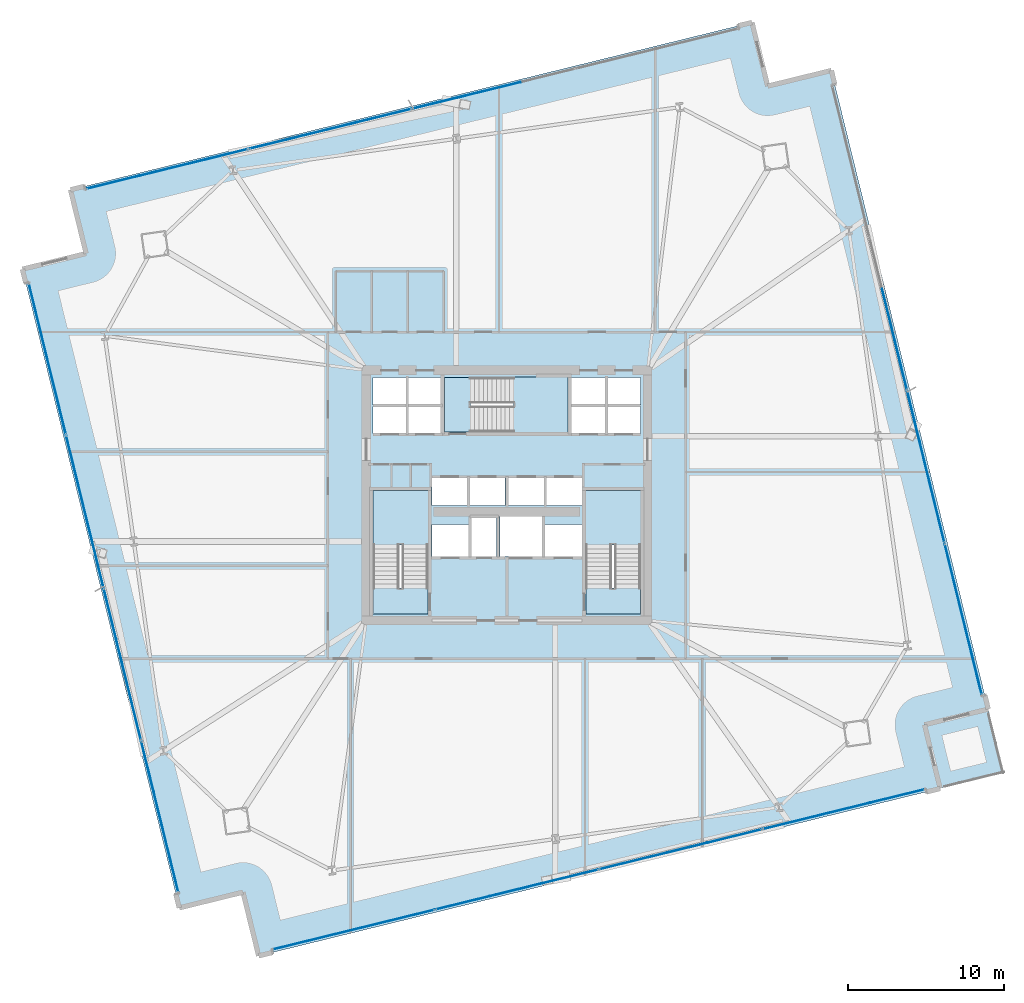
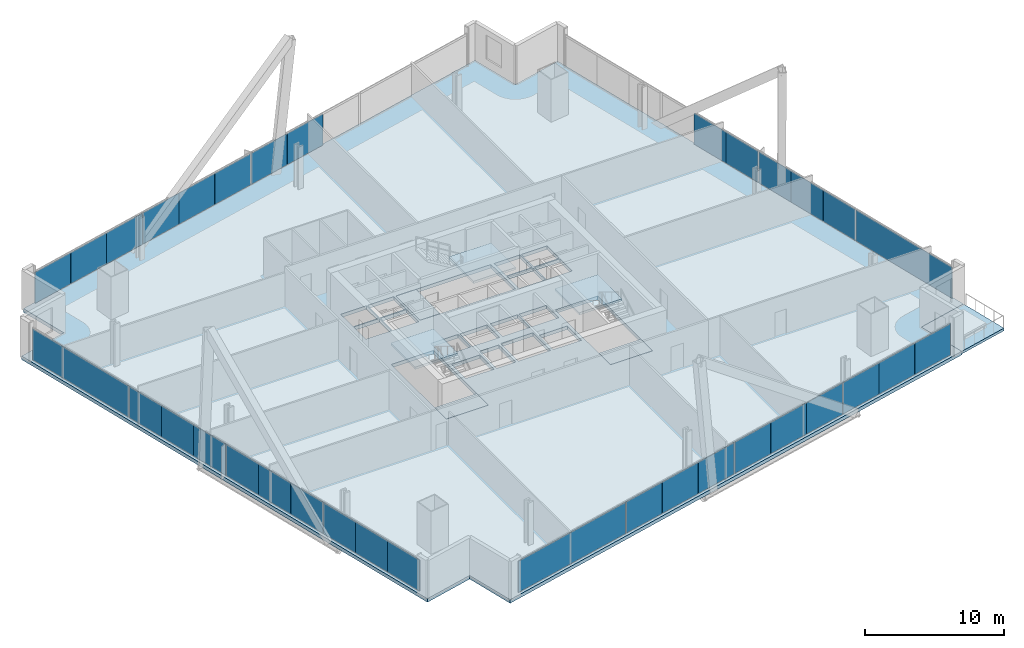
# One storey, part 23 of 32: 34 plates, 8 slabs, 7 elements without a shape of their own.
"""IFC4 building model written with IfcOpenShell, lengths in metres."""

import ifcopenshell
import ifcopenshell.guid

model = None  # the IFC model being written
_history = None  # IfcOwnerHistory: only IFC2X3 demands one
_inside = {}  # id of a spatial element -> (the spatial element, [elements in it])
_under = {}  # id of a project, library or spatial element -> (it, [spatial elements below it])
_declared = {}  # id of a project -> (the project, [libraries it declares])
_typed = {}  # id of a type object -> (the type object, [elements of that type])
_made_of = {}  # id of a material, layer set ... -> (it, [elements and type objects made of it])


def new_model(schema):
    """Start an empty IFC model of exactly this schema.

    Asked for "IFC4X3", IfcOpenShell would pick the latest addendum, in which some entities
    have other attributes; the version numbers below select the first issue.
    IFC2X3 requires an IfcOwnerHistory on every rooted entity: one is made here for all.
    """
    global model, _history
    if schema == "IFC4X3":
        model = ifcopenshell.file(schema_version=(4, 3, 0, 0))
    else:
        model = ifcopenshell.file(schema=schema)
    _inside.clear()
    _under.clear()
    _declared.clear()
    _typed.clear()
    _made_of.clear()
    _history = None
    if model.schema == "IFC2X3":
        org = make("IfcOrganization", Name="unknown")
        user = make(
            "IfcPersonAndOrganization",
            ThePerson=make("IfcPerson", FamilyName="unknown"),
            TheOrganization=org,
        )
        app = make(
            "IfcApplication",
            ApplicationDeveloper=org,
            Version="unknown",
            ApplicationFullName="unknown",
            ApplicationIdentifier="unknown",
        )
        _history = make(
            "IfcOwnerHistory",
            OwningUser=user,
            OwningApplication=app,
            ChangeAction="ADDED",
            CreationDate=0,
        )
    return model


def make(cls, **values):
    """One entity of the class cls with the attributes given. An attribute that is None is left unset."""
    return model.create_entity(
        cls, **{name: value for name, value in values.items() if value is not None}
    )


def rooted(cls, **values):
    """An entity with a GlobalId (a new one), such as an element, a storey or a relation."""
    return make(cls, GlobalId=ifcopenshell.guid.new(), OwnerHistory=_history, **values)


def si_unit(unit_type, name, prefix=None):
    """IfcSIUnit, for example si_unit("LENGTHUNIT", "METRE", prefix="MILLI")."""
    return make("IfcSIUnit", UnitType=unit_type, Prefix=prefix, Name=name)


def assignment(units):
    """IfcUnitAssignment: the units of a project."""
    return None if units is None else make("IfcUnitAssignment", Units=units)


def point(xyz):
    """IfcCartesianPoint."""
    return None if xyz is None else make("IfcCartesianPoint", Coordinates=xyz)


def direction(xyz):
    """IfcDirection."""
    return None if xyz is None else make("IfcDirection", DirectionRatios=xyz)


def frame(location, z_axis=None, x_axis=None):
    """IfcAxis2Placement3D, a coordinate frame: its origin and axes. An axis left out is left unset."""
    return make(
        "IfcAxis2Placement3D",
        Location=point(location),
        Axis=direction(z_axis),
        RefDirection=direction(x_axis),
    )


def frame_2d(location, x_axis=None):
    """IfcAxis2Placement2D, a coordinate frame in the plane: its origin and x axis."""
    return make(
        "IfcAxis2Placement2D", Location=point(location), RefDirection=direction(x_axis)
    )


def origin():
    """The frame at (0, 0, 0) with its axes left unset."""
    return frame((0.0, 0.0, 0.0))


def origin_2d():
    """The frame at (0, 0) in the plane with its x axis left unset."""
    return frame_2d((0.0, 0.0))


def place(relative_to, where):
    """IfcLocalPlacement: puts the frame where relative to a parent placement (None: the world)."""
    return make(
        "IfcLocalPlacement", PlacementRelTo=relative_to, RelativePlacement=where
    )


def context(
    kind, dimensions, precision=None, world=None, true_north=None, identifier=None
):
    """IfcGeometricRepresentationContext, for example the 3D "Model" context."""
    return make(
        "IfcGeometricRepresentationContext",
        ContextIdentifier=identifier,
        ContextType=kind,
        CoordinateSpaceDimension=dimensions,
        Precision=precision,
        WorldCoordinateSystem=world,
        TrueNorth=true_north,
    )


def subcontext(parent, identifier, kind, view, scale=None):
    """IfcGeometricRepresentationSubContext, for example "Body" below "Model"."""
    return make(
        "IfcGeometricRepresentationSubContext",
        ContextIdentifier=identifier,
        ContextType=kind,
        ParentContext=parent,
        TargetScale=scale,
        TargetView=view,
    )


def project(units=None, contexts=None):
    """IfcProject with its units and contexts."""
    return rooted(
        "IfcProject",
        Name="project",
        RepresentationContexts=contexts,
        UnitsInContext=assignment(units),
    )


def spatial(cls, under=None, at=None, **own):
    """A site, building, storey or space (cls), placed at a placement, below another one or the project."""
    s = rooted(cls, ObjectPlacement=at, **own)
    if under is not None:
        _under.setdefault(under.id(), (under, []))[1].append(s)
    return s


def polyline(points):
    """IfcPolyline through the points."""
    return make("IfcPolyline", Points=[point(p) for p in points])


def profile(cls, at=None, kind="AREA", **sizes):
    """A parametric profile (cls). Its sizes go by their IFC names, for example OverallWidth=200.0."""
    return make(cls, ProfileType=kind, Position=at, **sizes)


def rectangle(**sizes):
    """IfcRectangleProfileDef."""
    return profile("IfcRectangleProfileDef", **sizes)


def outline(outer, holes=None, kind="AREA"):
    """IfcArbitraryClosedProfileDef: a profile drawn as a closed curve; with holes, ...WithVoids."""
    if holes is None:
        return make("IfcArbitraryClosedProfileDef", ProfileType=kind, OuterCurve=outer)
    return make(
        "IfcArbitraryProfileDefWithVoids",
        ProfileType=kind,
        OuterCurve=outer,
        InnerCurves=holes,
    )


def extrude(swept, where, along, depth):
    """IfcExtrudedAreaSolid: the profile swept, set in the frame where, extruded along a direction by depth."""
    return make(
        "IfcExtrudedAreaSolid",
        SweptArea=swept,
        Position=where,
        ExtrudedDirection=direction(along),
        Depth=depth,
    )


def shape(context_of_items, identifier, shape_type, items):
    """IfcShapeRepresentation: the items that make up one representation, for example the "Body"."""
    return make(
        "IfcShapeRepresentation",
        ContextOfItems=context_of_items,
        RepresentationIdentifier=identifier,
        RepresentationType=shape_type,
        Items=items,
    )


def source(mapping_origin, context_of_items, identifier, shape_type, items):
    """IfcRepresentationMap: a shape defined once, which mapped items show again and again."""
    return make(
        "IfcRepresentationMap",
        MappingOrigin=mapping_origin,
        MappedRepresentation=shape(context_of_items, identifier, shape_type, items),
    )


def transform(
    local_origin,
    x_axis=None,
    y_axis=None,
    z_axis=None,
    scale=None,
    scale2=None,
    scale3=None,
    uniform=True,
):
    """IfcCartesianTransformationOperator3D, or its non-uniform kind. x_axis, y_axis, z_axis: its Axis1, 2, 3."""
    if uniform:
        return make(
            "IfcCartesianTransformationOperator3D",
            Axis1=direction(x_axis),
            Axis2=direction(y_axis),
            LocalOrigin=point(local_origin),
            Scale=scale,
            Axis3=direction(z_axis),
        )
    return make(
        "IfcCartesianTransformationOperator3DnonUniform",
        Axis1=direction(x_axis),
        Axis2=direction(y_axis),
        LocalOrigin=point(local_origin),
        Scale=scale,
        Axis3=direction(z_axis),
        Scale2=scale2,
        Scale3=scale3,
    )


def mapped(mapping_source, mapping_target):
    """IfcMappedItem: shows the shape of a source again, moved by a transform."""
    return make(
        "IfcMappedItem", MappingSource=mapping_source, MappingTarget=mapping_target
    )


def material(Name=None, Category=None):
    """IfcMaterial."""
    return make("IfcMaterial", Name=Name, Category=Category)


def layer(
    of_material, thickness, ventilated=None, Name=None, Category=None, Priority=None
):
    """IfcMaterialLayer: one layer of a wall or slab, of a material (None: an air gap)."""
    return make(
        "IfcMaterialLayer",
        Material=of_material,
        LayerThickness=thickness,
        IsVentilated=ventilated,
        Name=Name,
        Category=Category,
        Priority=Priority,
    )


def layer_set(layers, Name=None):
    """IfcMaterialLayerSet."""
    return make("IfcMaterialLayerSet", MaterialLayers=layers, LayerSetName=Name)


def made_of(thing, what):
    """Note that an element or type object is made of a material, layer set ...; save() writes the relation."""
    if what is not None:
        _made_of.setdefault(what.id(), (what, []))[1].append(thing)
    return thing


def type_object(cls, material=None, **own):
    """A type object (cls), such as IfcWallType, which elements share."""
    return made_of(rooted(cls, **own), material)


def element(
    cls,
    number,
    at=None,
    inside=None,
    cuts=None,
    type_object=None,
    material=None,
    context=None,
    identifier="Body",
    shape_type=None,
    held_by="IfcProductDefinitionShape",
    body=None,
    shapes=None,
    **own,
):
    """One element of the class cls, such as IfcWall. Its Tag is "e" and its number.

    at: its placement. inside: the storey or other place that contains it. cuts: it is an
    opening in that element (IfcRelVoidsElement). A single representation is given by context,
    identifier, shape_type and body (its items); several are given by shapes. held_by: the class
    of the entity that holds the representations. save() writes the other relations.
    """
    e = rooted(cls, Tag="e%d" % number, ObjectPlacement=at, **own)
    if body is not None:
        shapes = [shape(context, identifier, shape_type, body)]
    if shapes is not None:
        e.Representation = make(held_by, Representations=shapes)
    if inside is not None:
        _inside.setdefault(inside.id(), (inside, []))[1].append(e)
    if cuts is not None:
        rooted(
            "IfcRelVoidsElement", RelatingBuildingElement=cuts, RelatedOpeningElement=e
        )
    if type_object is not None:
        _typed.setdefault(type_object.id(), (type_object, []))[1].append(e)
    return made_of(e, material)


def aggregate(whole, parts):
    """IfcRelAggregates: a whole, such as a stair, and the parts it consists of."""
    return rooted("IfcRelAggregates", RelatingObject=whole, RelatedObjects=parts)


def save(model, path):
    """Write the relations noted so far, then the file.

    IfcRelAggregates (storeys below a building ...), IfcRelContainedInSpatialStructure (elements
    in a storey), IfcRelDefinesByType, IfcRelAssociatesMaterial and IfcRelDeclares: one each for
    every whole, place, type object, material and project.
    """
    for whole, parts in _under.values():
        aggregate(whole, parts)
    for where, things in _inside.values():
        rooted(
            "IfcRelContainedInSpatialStructure",
            RelatedElements=things,
            RelatingStructure=where,
        )
    for kind, things in _typed.values():
        rooted("IfcRelDefinesByType", RelatedObjects=things, RelatingType=kind)
    for what, things in _made_of.values():
        rooted("IfcRelAssociatesMaterial", RelatedObjects=things, RelatingMaterial=what)
    for by, libraries in _declared.values():
        rooted("IfcRelDeclares", RelatingContext=by, RelatedDefinitions=libraries)
    model.write(path)


model = new_model("IFC4")

# Units and contexts
model_context = context("Model", 3, precision=1e-05, world=origin(), true_north=direction((0.0, 1.0)))
body_context = subcontext(model_context, "Body", "Model", "MODEL_VIEW")
ifc_project = project(units=[si_unit("LENGTHUNIT", "METRE"), si_unit("AREAUNIT", "SQUARE_METRE"), si_unit("VOLUMEUNIT", "CUBIC_METRE"), si_unit("PLANEANGLEUNIT", "RADIAN"), si_unit("MASSUNIT", "GRAM", prefix="KILO")], contexts=[model_context])

# Site, building, storey
site_placement = place(None, origin())
site = spatial("IfcSite", under=ifc_project, at=site_placement, CompositionType="ELEMENT")
building_placement = place(site_placement, origin())
building = spatial("IfcBuilding", under=site, at=building_placement, Name="Haldenkirk Collegiate Tower", CompositionType="ELEMENT")
storey_placement = place(building_placement, frame((0.0, 0.0, 73.949951171875)))
storey = spatial("IfcBuildingStorey", under=building, at=storey_placement, Name="L17", CompositionType="ELEMENT", Elevation=73.949951171875)

# Slab
ifc_material_1 = material(Name="Concrete f'c 40 MPa", Category="concrete")
ifc_layer_1 = layer(ifc_material_1, 0.31005859375)
ifc_layer_set_1 = layer_set([ifc_layer_1], Name="Concrete f'c 40 MPa")
slab_type_1 = type_object("IfcSlabType", Name="SLB-FLR-310", PredefinedType="FLOOR", material=ifc_layer_set_1)
slab_1_placement = place(storey_placement, frame((0.0, 0.0, -0.31005859375)))
element("IfcSlab", 1, at=slab_1_placement, inside=storey, type_object=slab_type_1, Name="L17 composite structural floor slab", PredefinedType="FLOOR", context=body_context, shape_type="SweptSolid", body=[
    extrude(outline(polyline([(20.11962890625, -3.46337890625), (63.7236328125, 7.24658203125), (62.7216796875, 11.325439453125), (66.800537109375, 12.327392578125), (56.76416015625, 53.187744140625), (52.685302734375, 52.185791015625), (51.68359375, 56.2646484375), (8.07958984375, 45.554443359375), (9.08154296875, 41.475830078125), (5.002685546875, 40.473876953125), (15.0390625, -0.38671875), (19.117919921875, 0.615234375), (20.11962890625, -3.46337890625)]), holes=[polyline([(27.449951171875, 18.39990234375), (30.949951171875, 18.39990234375), (30.949951171875, 26.300048828125), (27.449951171875, 26.300048828125), (27.449951171875, 18.39990234375)]), polyline([(41.050048828125, 18.39990234375), (44.550048828125, 18.39990234375), (44.550048828125, 26.300048828125), (41.050048828125, 26.300048828125), (41.050048828125, 18.39990234375)]), polyline([(32.0, 30.050048828125), (39.89990234375, 30.050048828125), (39.89990234375, 33.550048828125), (32.0, 33.550048828125), (32.0, 30.050048828125)]), polyline([(33.75, 22.10009765625), (35.35009765625, 22.10009765625), (35.35009765625, 24.550048828125), (33.75, 24.550048828125), (33.75, 22.10009765625)]), polyline([(27.449951171875, 29.949951171875), (29.580078125, 29.949951171875), (29.580078125, 31.699951171875), (27.449951171875, 31.699951171875), (27.449951171875, 29.949951171875)]), polyline([(29.679931640625, 29.949951171875), (31.85009765625, 29.949951171875), (31.85009765625, 31.699951171875), (29.679931640625, 31.699951171875), (29.679931640625, 29.949951171875)]), polyline([(27.449951171875, 31.800048828125), (29.580078125, 31.800048828125), (29.580078125, 33.550048828125), (27.449951171875, 33.550048828125), (27.449951171875, 31.800048828125)]), polyline([(29.679931640625, 31.800048828125), (31.85009765625, 31.800048828125), (31.85009765625, 33.550048828125), (29.679931640625, 33.550048828125), (29.679931640625, 31.800048828125)]), polyline([(40.14990234375, 29.949951171875), (42.320068359375, 29.949951171875), (42.320068359375, 31.699951171875), (40.14990234375, 31.699951171875), (40.14990234375, 29.949951171875)]), polyline([(42.419921875, 29.949951171875), (44.550048828125, 29.949951171875), (44.550048828125, 31.699951171875), (42.419921875, 31.699951171875), (42.419921875, 29.949951171875)]), polyline([(40.14990234375, 31.800048828125), (42.320068359375, 31.800048828125), (42.320068359375, 33.550048828125), (40.14990234375, 33.550048828125), (40.14990234375, 31.800048828125)]), polyline([(42.419921875, 31.800048828125), (44.550048828125, 31.800048828125), (44.550048828125, 33.550048828125), (42.419921875, 33.550048828125), (42.419921875, 31.800048828125)]), polyline([(31.199951171875, 25.35009765625), (33.47998046875, 25.35009765625), (33.47998046875, 27.14990234375), (31.199951171875, 27.14990234375), (31.199951171875, 25.35009765625)]), polyline([(33.60009765625, 25.35009765625), (35.8798828125, 25.35009765625), (35.8798828125, 27.14990234375), (33.60009765625, 27.14990234375), (33.60009765625, 25.35009765625)]), polyline([(36.1201171875, 25.35009765625), (38.39990234375, 25.35009765625), (38.39990234375, 27.14990234375), (36.1201171875, 27.14990234375), (36.1201171875, 25.35009765625)]), polyline([(38.52001953125, 25.35009765625), (40.800048828125, 25.35009765625), (40.800048828125, 27.14990234375), (38.52001953125, 27.14990234375), (38.52001953125, 25.35009765625)]), polyline([(31.199951171875, 22.10009765625), (33.550048828125, 22.10009765625), (33.550048828125, 24.14990234375), (31.199951171875, 24.14990234375), (31.199951171875, 22.10009765625)]), polyline([(38.449951171875, 22.10009765625), (40.800048828125, 22.10009765625), (40.800048828125, 24.14990234375), (38.449951171875, 24.14990234375), (38.449951171875, 22.10009765625)]), polyline([(35.550048828125, 22.10009765625), (38.25, 22.10009765625), (38.25, 24.64990234375), (35.550048828125, 24.64990234375), (35.550048828125, 22.10009765625)])]), origin(), (0.0, 0.0, 1.0), 0.31005859375),
])

# Stair, slab
stair_type = type_object("IfcStairType", Name="STR-DOGLEG-1650", PredefinedType="HALF_TURN_STAIR", material=ifc_material_1)
stair_1_placement = place(storey_placement, origin())
stair_1 = element("IfcStair", 2, at=stair_1_placement, inside=storey, type_object=stair_type, Name="L17 Core Exit Stair ST-1", PredefinedType="HALF_TURN_STAIR")
ifc_layer_2 = layer(ifc_material_1, 0.199951171875)
ifc_layer_set_2 = layer_set([ifc_layer_2], Name="Concrete f'c 40 MPa")
slab_type_2 = type_object("IfcSlabType", Name="SLB-LANDING-200", PredefinedType="LANDING", material=ifc_layer_set_2)
slab_2_placement = place(storey_placement, frame((0.0, 0.0, 1.675048828125)))
slab_2 = element("IfcSlab", 3, at=slab_2_placement, type_object=slab_type_2, Name="ST-1 landing 1", PredefinedType="LANDING", context=body_context, shape_type="SweptSolid", body=[
    extrude(outline(polyline([(30.97509765625, 22.824951171875), (27.425048828125, 22.824951171875), (27.425048828125, 26.324951171875), (30.97509765625, 26.324951171875), (30.97509765625, 22.824951171875)])), origin(), (0.0, 0.0, 1.0), 0.199951171875),
])
aggregate(stair_1, [slab_2])

stair_2_placement = place(storey_placement, origin())
stair_2 = element("IfcStair", 4, at=stair_2_placement, inside=storey, type_object=stair_type, Name="L17 Core Exit Stair ST-2", PredefinedType="HALF_TURN_STAIR")
slab_3_placement = place(storey_placement, frame((0.0, 0.0, 1.675048828125)))
slab_3 = element("IfcSlab", 5, at=slab_3_placement, type_object=slab_type_2, Name="ST-2 landing 1", PredefinedType="LANDING", context=body_context, shape_type="SweptSolid", body=[
    extrude(outline(polyline([(44.574951171875, 22.824951171875), (41.02490234375, 22.824951171875), (41.02490234375, 26.324951171875), (44.574951171875, 26.324951171875), (44.574951171875, 22.824951171875)])), origin(), (0.0, 0.0, 1.0), 0.199951171875),
])
aggregate(stair_2, [slab_3])

stair_3_placement = place(storey_placement, origin())
stair_3 = element("IfcStair", 6, at=stair_3_placement, inside=storey, type_object=stair_type, Name="L17 Core Exit Stair ST-3", PredefinedType="HALF_TURN_STAIR")
slab_4_placement = place(storey_placement, frame((0.0, 0.0, 1.675048828125)))
slab_4 = element("IfcSlab", 7, at=slab_4_placement, type_object=slab_type_2, Name="ST-3 landing 1", PredefinedType="LANDING", context=body_context, shape_type="SweptSolid", body=[
    extrude(outline(polyline([(36.425048828125, 30.02490234375), (36.425048828125, 33.574951171875), (39.925048828125, 33.574951171875), (39.925048828125, 30.02490234375), (36.425048828125, 30.02490234375)])), origin(), (0.0, 0.0, 1.0), 0.199951171875),
])
aggregate(stair_3, [slab_4])

# Slabs
ifc_layer_3 = layer(ifc_material_1, 0.25)
ifc_layer_set_3 = layer_set([ifc_layer_3], Name="Concrete f'c 40 MPa")
slab_type_3 = type_object("IfcSlabType", Name="SLB-STAIRLAND-250", PredefinedType="LANDING", material=ifc_layer_set_3)
slab_5_placement = place(storey_placement, frame((0.0, 0.0, -0.25)))
element("IfcSlab", 8, at=slab_5_placement, inside=storey, type_object=slab_type_3, Name="L17 stair ST1 structural floor landing slab", PredefinedType="LANDING", context=body_context, shape_type="SweptSolid", body=[
    extrude(outline(polyline([(27.4599609375, 18.409912109375), (30.93994140625, 18.409912109375), (30.93994140625, 20.080078125), (27.4599609375, 20.080078125), (27.4599609375, 18.409912109375)])), origin(), (0.0, 0.0, 1.0), 0.25),
])
slab_6_placement = place(storey_placement, frame((0.0, 0.0, -0.25)))
element("IfcSlab", 9, at=slab_6_placement, inside=storey, type_object=slab_type_3, Name="L17 stair ST2 structural floor landing slab", PredefinedType="LANDING", context=body_context, shape_type="SweptSolid", body=[
    extrude(outline(polyline([(41.06005859375, 18.409912109375), (44.5400390625, 18.409912109375), (44.5400390625, 20.080078125), (41.06005859375, 20.080078125), (41.06005859375, 18.409912109375)])), origin(), (0.0, 0.0, 1.0), 0.25),
])
slab_7_placement = place(storey_placement, frame((0.0, 0.0, -0.25)))
element("IfcSlab", 10, at=slab_7_placement, inside=storey, type_object=slab_type_3, Name="L17 stair ST3 structural floor landing slab", PredefinedType="LANDING", context=body_context, shape_type="SweptSolid", body=[
    extrude(outline(polyline([(32.010009765625, 30.06005859375), (33.679931640625, 30.06005859375), (33.679931640625, 33.5400390625), (32.010009765625, 33.5400390625), (32.010009765625, 30.06005859375)])), origin(), (0.0, 0.0, 1.0), 0.25),
])
ifc_layer_4 = layer(ifc_material_1, 0.22998046875)
ifc_layer_set_4 = layer_set([ifc_layer_4], Name="Concrete f'c 40 MPa")
slab_type_4 = type_object("IfcSlabType", Name="SLB-TERR-SPIRAL-230", PredefinedType="FLOOR", material=ifc_layer_set_4)
slab_8_placement = place(storey_placement, frame((0.0, 0.0, -0.22998046875)))
element("IfcSlab", 11, at=slab_8_placement, inside=storey, type_object=slab_type_4, Name="L17 spiralling corner terrace slab", PredefinedType="FLOOR", context=body_context, shape_type="SweptSolid", body=[
    extrude(outline(polyline([(63.7236328125, 7.24658203125), (67.80224609375, 8.24853515625), (66.800537109375, 12.327392578125), (62.7216796875, 11.325439453125), (63.7236328125, 7.24658203125)])), origin(), (0.0, 0.0, 1.0), 0.22998046875),
])

# Curtain wall, plates
ifc_material_2 = material(Name="Anodised architectural bronze aluminium", Category="aluminium")
curtain_wall_type_1 = type_object("IfcCurtainWallType", Name="CW-SYS2-CONCAVE", PredefinedType="USERDEFINED", material=ifc_material_2)
curtain_wall_1_placement = place(storey_placement, origin())
curtain_wall_1 = element("IfcCurtainWall", 12, at=curtain_wall_1_placement, inside=storey, type_object=curtain_wall_type_1, Name="L17 South concave recessed bronze-anodised curtain wall", ObjectType="UNITISED CURTAIN WALL", PredefinedType="USERDEFINED")
ifc_material_3 = material(Name="Low-E argon triple insulating glass", Category="glass")
ifc_layer_5 = layer(ifc_material_3, 0.0419921875)
ifc_layer_set_5 = layer_set([ifc_layer_5], Name="Low-E argon triple insulating glass")
plate_type_1 = type_object("IfcPlateType", Name="CW-PNL-02", PredefinedType="CURTAIN_PANEL", material=ifc_layer_set_5)
shared_shape_1 = source(origin(), body_context, "Body", "SweptSolid", [
    extrude(rectangle(XDim=10.66259765625, YDim=0.0419921875, at=origin_2d()), origin(), (0.0, 0.0, 1.0), 2.740966796875),
])
plate_1_placement = place(storey_placement, frame((26.200927734375, -1.784423828125, 0.0751953125), z_axis=(0.0, 0.0, 1.0), x_axis=(-0.971134385592, -0.238533027316, 0.0)))
plate_1 = element("IfcPlate", 13, at=plate_1_placement, type_object=plate_type_1, Name="CW-02 panel 4.1", PredefinedType="CURTAIN_PANEL", context=body_context, shape_type="MappedRepresentation", body=[
    mapped(shared_shape_1, transform((0.0, 0.0, 0.0), x_axis=(1.0, 0.0, 0.0), y_axis=(0.0, 1.0, 0.0), z_axis=(0.0, 0.0, 1.0), scale=1.0)),
])
ifc_material_4 = material(Name="Bronze-anodised insulated aluminium spandrel panel", Category="aluminium")
ifc_layer_6 = layer(ifc_material_4, 0.0419921875)
ifc_layer_set_6 = layer_set([ifc_layer_6], Name="Bronze-anodised insulated aluminium spandrel panel")
plate_type_2 = type_object("IfcPlateType", Name="CW-SPD-02", PredefinedType="CURTAIN_PANEL", material=ifc_layer_set_6)
shared_shape_2 = source(origin(), body_context, "Body", "SweptSolid", [
    extrude(rectangle(XDim=3.55419921875, YDim=0.0419921875, at=origin_2d()), origin(), (0.0, 0.0, 1.0), 2.740966796875),
])
plate_2_placement = place(storey_placement, frame((50.58056640625, 4.203857421875, 0.0751953125), z_axis=(0.0, 0.0, 1.0), x_axis=(-0.971134385592, -0.238533027316, 0.0)))
plate_2 = element("IfcPlate", 14, at=plate_2_placement, type_object=plate_type_2, Name="CW-02 spandrel panel 2.1a", PredefinedType="CURTAIN_PANEL", context=body_context, shape_type="MappedRepresentation", body=[
    mapped(shared_shape_2, transform((0.0, 0.0, 0.0), x_axis=(1.0, 0.0, 0.0), y_axis=(0.0, 1.0, 0.0), z_axis=(0.0, 0.0, 1.0), scale=1.0)),
])
plate_3_placement = place(storey_placement, frame((43.640869140625, 2.499267578125, 0.0751953125), z_axis=(0.0, 0.0, 1.0), x_axis=(-0.971134385592, -0.238533027316, 0.0)))
plate_3 = element("IfcPlate", 15, at=plate_3_placement, type_object=plate_type_1, Name="CW-02 panel 2.1c", PredefinedType="CURTAIN_PANEL", context=body_context, shape_type="MappedRepresentation", body=[
    mapped(shared_shape_2, transform((0.0, 0.0, 0.0), x_axis=(1.0, 0.0, 0.0), y_axis=(0.0, 1.0, 0.0), z_axis=(0.0, 0.0, 1.0), scale=1.0)),
])
plate_4_placement = place(storey_placement, frame((40.116455078125, 1.633544921875, 0.0751953125), z_axis=(0.0, 0.0, 1.0), x_axis=(-0.971134385592, -0.238533027316, 0.0)))
plate_4 = element("IfcPlate", 16, at=plate_4_placement, type_object=plate_type_2, Name="CW-02 spandrel panel 3.1a", PredefinedType="CURTAIN_PANEL", context=body_context, shape_type="MappedRepresentation", body=[
    mapped(shared_shape_2, transform((0.0, 0.0, 0.0), x_axis=(1.0, 0.0, 0.0), y_axis=(0.0, 1.0, 0.0), z_axis=(0.0, 0.0, 1.0), scale=1.0)),
])
plate_5_placement = place(storey_placement, frame((33.177001953125, -0.071044921875, 0.0751953125), z_axis=(0.0, 0.0, 1.0), x_axis=(-0.971134385592, -0.238533027316, 0.0)))
plate_5 = element("IfcPlate", 17, at=plate_5_placement, type_object=plate_type_1, Name="CW-02 panel 3.1c", PredefinedType="CURTAIN_PANEL", context=body_context, shape_type="MappedRepresentation", body=[
    mapped(shared_shape_2, transform((0.0, 0.0, 0.0), x_axis=(1.0, 0.0, 0.0), y_axis=(0.0, 1.0, 0.0), z_axis=(0.0, 0.0, 1.0), scale=1.0)),
])
shared_shape_3 = source(origin(), body_context, "Body", "SweptSolid", [
    extrude(rectangle(XDim=3.541748046875, YDim=0.0419921875, at=origin_2d()), origin(), (0.0, 0.0, 1.0), 2.740966796875),
])
plate_6_placement = place(storey_placement, frame((61.01416015625, 6.7666015625, 0.0751953125), z_axis=(0.0, 0.0, 1.0), x_axis=(-0.971134385592, -0.238533027316, 0.0)))
plate_6 = element("IfcPlate", 18, at=plate_6_placement, type_object=plate_type_1, Name="CW-02 panel 1.1a", PredefinedType="CURTAIN_PANEL", context=body_context, shape_type="MappedRepresentation", body=[
    mapped(shared_shape_3, transform((0.0, 0.0, 0.0), x_axis=(1.0, 0.0, 0.0), y_axis=(0.0, 1.0, 0.0), z_axis=(0.0, 0.0, 1.0), scale=1.0)),
])
plate_7_placement = place(storey_placement, frame((54.098876953125, 5.06787109375, 0.0751953125), z_axis=(0.0, 0.0, 1.0), x_axis=(-0.971134385592, -0.238533027316, 0.0)))
plate_7 = element("IfcPlate", 19, at=plate_7_placement, type_object=plate_type_2, Name="CW-02 spandrel panel 1.1c", PredefinedType="CURTAIN_PANEL", context=body_context, shape_type="MappedRepresentation", body=[
    mapped(shared_shape_3, transform((0.0, 0.0, 0.0), x_axis=(1.0, 0.0, 0.0), y_axis=(0.0, 1.0, 0.0), z_axis=(0.0, 0.0, 1.0), scale=1.0)),
])
plate_8_placement = place(storey_placement, frame((47.110595703125, 3.3515625, 0.0751953125), z_axis=(0.0, 0.0, 1.0), x_axis=(-0.971134385592, -0.238533027316, 0.0)))
plate_8 = element("IfcPlate", 20, at=plate_8_placement, type_object=plate_type_2, Name="CW-02 spandrel panel 2.1b", PredefinedType="CURTAIN_PANEL", context=body_context, shape_type="MappedRepresentation", body=[
    mapped(shared_shape_3, transform((0.0, 0.0, 0.0), x_axis=(1.0, 0.0, 0.0), y_axis=(0.0, 1.0, 0.0), z_axis=(0.0, 0.0, 1.0), scale=1.0)),
])
plate_9_placement = place(storey_placement, frame((36.646728515625, 0.78125, 0.0751953125), z_axis=(0.0, 0.0, 1.0), x_axis=(-0.971134385592, -0.238533027316, 0.0)))
plate_9 = element("IfcPlate", 21, at=plate_9_placement, type_object=plate_type_1, Name="CW-02 panel 3.1b", PredefinedType="CURTAIN_PANEL", context=body_context, shape_type="MappedRepresentation", body=[
    mapped(shared_shape_3, transform((0.0, 0.0, 0.0), x_axis=(1.0, 0.0, 0.0), y_axis=(0.0, 1.0, 0.0), z_axis=(0.0, 0.0, 1.0), scale=1.0)),
])

# Curtain wall, plate
curtain_wall_type_2 = type_object("IfcCurtainWallType", Name="CW-SYS1-CONVEX-LOW", PredefinedType="USERDEFINED", material=ifc_material_2)
curtain_wall_2_placement = place(storey_placement, origin())
curtain_wall_2 = element("IfcCurtainWall", 22, at=curtain_wall_2_placement, inside=storey, type_object=curtain_wall_type_2, Name="L17 Lower tower convex bronze-framed unitised curtain wall", ObjectType="UNITISED CURTAIN WALL", PredefinedType="USERDEFINED")
ifc_layer_7 = layer(ifc_material_3, 0.0439453125)
ifc_layer_set_7 = layer_set([ifc_layer_7], Name="Low-E argon triple insulating glass")
plate_type_3 = type_object("IfcPlateType", Name="CW-PNL-1A", PredefinedType="CURTAIN_PANEL", material=ifc_layer_set_7)
shared_shape_4 = source(origin(), body_context, "Body", "SweptSolid", [
    extrude(rectangle(XDim=9.94873046875, YDim=0.0439453125, at=origin_2d()), origin(), (0.0, 0.0, 1.0), 2.73095703125),
])
plate_10_placement = place(storey_placement, frame((65.205322265625, 18.06689453125, 0.080078125), z_axis=(0.0, 0.0, 1.0), x_axis=(0.238532828413, -0.971134434447, 0.0)))
plate_10 = element("IfcPlate", 23, at=plate_10_placement, type_object=plate_type_3, Name="CW-1A panel 4.1", PredefinedType="CURTAIN_PANEL", context=body_context, shape_type="MappedRepresentation", body=[
    mapped(shared_shape_4, transform((0.0, 0.0, 0.0), x_axis=(1.0, 0.0, 0.0), y_axis=(0.0, 1.0, 0.0), z_axis=(0.0, 0.0, 1.0), scale=1.0)),
])

curtain_wall_3_placement = place(storey_placement, origin())
curtain_wall_3 = element("IfcCurtainWall", 24, at=curtain_wall_3_placement, inside=storey, type_object=curtain_wall_type_2, Name="L17 Lower tower convex bronze-framed unitised curtain wall", ObjectType="UNITISED CURTAIN WALL", PredefinedType="USERDEFINED")
plate_11_placement = place(storey_placement, frame((6.597900390625, 34.734375, 0.080078125), z_axis=(0.0, 0.0, 1.0), x_axis=(-0.238532253249, 0.97113457572, 0.0)))
plate_11 = element("IfcPlate", 25, at=plate_11_placement, type_object=plate_type_3, Name="CW-1A panel 4.1", PredefinedType="CURTAIN_PANEL", context=body_context, shape_type="MappedRepresentation", body=[
    mapped(shared_shape_4, transform((0.0, 0.0, 0.0), x_axis=(1.0, 0.0, 0.0), y_axis=(0.0, 1.0, 0.0), z_axis=(0.0, 0.0, 1.0), scale=1.0)),
])

# Plate
shared_shape_5 = source(origin(), body_context, "Body", "SweptSolid", [
    extrude(rectangle(XDim=3.317138671875, YDim=0.0439453125, at=origin_2d()), origin(), (0.0, 0.0, 1.0), 2.73095703125),
])
plate_12_placement = place(storey_placement, frame((61.202392578125, 34.364013671875, 0.080078125), z_axis=(0.0, 0.0, 1.0), x_axis=(0.238532828413, -0.971134434447, 0.0)))
plate_12 = element("IfcPlate", 26, at=plate_12_placement, type_object=plate_type_3, Name="CW-1A panel 2.1c", PredefinedType="CURTAIN_PANEL", context=body_context, shape_type="MappedRepresentation", body=[
    mapped(shared_shape_5, transform((0.0, 0.0, 0.0), x_axis=(1.0, 0.0, 0.0), y_axis=(0.0, 1.0, 0.0), z_axis=(0.0, 0.0, 1.0), scale=1.0)),
])

ifc_layer_8 = layer(ifc_material_4, 0.0439453125)
ifc_layer_set_8 = layer_set([ifc_layer_8], Name="Bronze-anodised insulated aluminium spandrel panel")
plate_type_4 = type_object("IfcPlateType", Name="CW-SPD-1A", PredefinedType="CURTAIN_PANEL", material=ifc_layer_set_8)
plate_13_placement = place(storey_placement, frame((62.0126953125, 31.065185546875, 0.080078125), z_axis=(0.0, 0.0, 1.0), x_axis=(0.238532828413, -0.971134434447, 0.0)))
plate_13 = element("IfcPlate", 27, at=plate_13_placement, type_object=plate_type_4, Name="CW-1A spandrel panel 3.1a", PredefinedType="CURTAIN_PANEL", context=body_context, shape_type="MappedRepresentation", body=[
    mapped(shared_shape_5, transform((0.0, 0.0, 0.0), x_axis=(1.0, 0.0, 0.0), y_axis=(0.0, 1.0, 0.0), z_axis=(0.0, 0.0, 1.0), scale=1.0)),
])

plate_14_placement = place(storey_placement, frame((63.60400390625, 24.5859375, 0.080078125), z_axis=(0.0, 0.0, 1.0), x_axis=(0.238532828413, -0.971134434447, 0.0)))
plate_14 = element("IfcPlate", 28, at=plate_14_placement, type_object=plate_type_3, Name="CW-1A panel 3.1c", PredefinedType="CURTAIN_PANEL", context=body_context, shape_type="MappedRepresentation", body=[
    mapped(shared_shape_5, transform((0.0, 0.0, 0.0), x_axis=(1.0, 0.0, 0.0), y_axis=(0.0, 1.0, 0.0), z_axis=(0.0, 0.0, 1.0), scale=1.0)),
])

plate_15_placement = place(storey_placement, frame((12.192138671875, 11.9580078125, 0.080078125), z_axis=(0.0, 0.0, 1.0), x_axis=(-0.238532253249, 0.97113457572, 0.0)))
plate_15 = element("IfcPlate", 29, at=plate_15_placement, type_object=plate_type_4, Name="CW-1A spandrel panel 2.1a", PredefinedType="CURTAIN_PANEL", context=body_context, shape_type="MappedRepresentation", body=[
    mapped(shared_shape_5, transform((0.0, 0.0, 0.0), x_axis=(1.0, 0.0, 0.0), y_axis=(0.0, 1.0, 0.0), z_axis=(0.0, 0.0, 1.0), scale=1.0)),
])

plate_16_placement = place(storey_placement, frame((10.600830078125, 18.43701171875, 0.080078125), z_axis=(0.0, 0.0, 1.0), x_axis=(-0.238532253249, 0.97113457572, 0.0)))
plate_16 = element("IfcPlate", 30, at=plate_16_placement, type_object=plate_type_3, Name="CW-1A panel 2.1c", PredefinedType="CURTAIN_PANEL", context=body_context, shape_type="MappedRepresentation", body=[
    mapped(shared_shape_5, transform((0.0, 0.0, 0.0), x_axis=(1.0, 0.0, 0.0), y_axis=(0.0, 1.0, 0.0), z_axis=(0.0, 0.0, 1.0), scale=1.0)),
])

plate_17_placement = place(storey_placement, frame((9.79052734375, 21.736083984375, 0.080078125), z_axis=(0.0, 0.0, 1.0), x_axis=(-0.238532253249, 0.97113457572, 0.0)))
plate_17 = element("IfcPlate", 31, at=plate_17_placement, type_object=plate_type_4, Name="CW-1A spandrel panel 3.1a", PredefinedType="CURTAIN_PANEL", context=body_context, shape_type="MappedRepresentation", body=[
    mapped(shared_shape_5, transform((0.0, 0.0, 0.0), x_axis=(1.0, 0.0, 0.0), y_axis=(0.0, 1.0, 0.0), z_axis=(0.0, 0.0, 1.0), scale=1.0)),
])

plate_18_placement = place(storey_placement, frame((8.19921875, 28.215087890625, 0.080078125), z_axis=(0.0, 0.0, 1.0), x_axis=(-0.238532253249, 0.97113457572, 0.0)))
plate_18 = element("IfcPlate", 32, at=plate_18_placement, type_object=plate_type_3, Name="CW-1A panel 3.1c", PredefinedType="CURTAIN_PANEL", context=body_context, shape_type="MappedRepresentation", body=[
    mapped(shared_shape_5, transform((0.0, 0.0, 0.0), x_axis=(1.0, 0.0, 0.0), y_axis=(0.0, 1.0, 0.0), z_axis=(0.0, 0.0, 1.0), scale=1.0)),
])

shared_shape_6 = source(origin(), body_context, "Body", "SweptSolid", [
    extrude(rectangle(XDim=3.3046875, YDim=0.0439453125, at=origin_2d()), origin(), (0.0, 0.0, 1.0), 2.73095703125),
])
plate_19_placement = place(storey_placement, frame((60.40673828125, 37.603515625, 0.080078125), z_axis=(0.0, 0.0, 1.0), x_axis=(0.238532828413, -0.971134434447, 0.0)))
plate_19 = element("IfcPlate", 33, at=plate_19_placement, type_object=plate_type_4, Name="CW-1A spandrel panel 2.1b", PredefinedType="CURTAIN_PANEL", context=body_context, shape_type="MappedRepresentation", body=[
    mapped(shared_shape_6, transform((0.0, 0.0, 0.0), x_axis=(1.0, 0.0, 0.0), y_axis=(0.0, 1.0, 0.0), z_axis=(0.0, 0.0, 1.0), scale=1.0)),
])

plate_20_placement = place(storey_placement, frame((62.808349609375, 27.82568359375, 0.080078125), z_axis=(0.0, 0.0, 1.0), x_axis=(0.238532828413, -0.971134434447, 0.0)))
plate_20 = element("IfcPlate", 34, at=plate_20_placement, type_object=plate_type_3, Name="CW-1A panel 3.1b", PredefinedType="CURTAIN_PANEL", context=body_context, shape_type="MappedRepresentation", body=[
    mapped(shared_shape_6, transform((0.0, 0.0, 0.0), x_axis=(1.0, 0.0, 0.0), y_axis=(0.0, 1.0, 0.0), z_axis=(0.0, 0.0, 1.0), scale=1.0)),
])

aggregate(curtain_wall_2, [plate_19, plate_12, plate_13, plate_20, plate_14, plate_10])

plate_21_placement = place(storey_placement, frame((11.396484375, 15.197509765625, 0.080078125), z_axis=(0.0, 0.0, 1.0), x_axis=(-0.238532253249, 0.97113457572, 0.0)))
plate_21 = element("IfcPlate", 35, at=plate_21_placement, type_object=plate_type_4, Name="CW-1A spandrel panel 2.1b", PredefinedType="CURTAIN_PANEL", context=body_context, shape_type="MappedRepresentation", body=[
    mapped(shared_shape_6, transform((0.0, 0.0, 0.0), x_axis=(1.0, 0.0, 0.0), y_axis=(0.0, 1.0, 0.0), z_axis=(0.0, 0.0, 1.0), scale=1.0)),
])

plate_22_placement = place(storey_placement, frame((8.994873046875, 24.9755859375, 0.080078125), z_axis=(0.0, 0.0, 1.0), x_axis=(-0.238532253249, 0.97113457572, 0.0)))
plate_22 = element("IfcPlate", 36, at=plate_22_placement, type_object=plate_type_3, Name="CW-1A panel 3.1b", PredefinedType="CURTAIN_PANEL", context=body_context, shape_type="MappedRepresentation", body=[
    mapped(shared_shape_6, transform((0.0, 0.0, 0.0), x_axis=(1.0, 0.0, 0.0), y_axis=(0.0, 1.0, 0.0), z_axis=(0.0, 0.0, 1.0), scale=1.0)),
])

# Curtain wall, plates
curtain_wall_4_placement = place(storey_placement, origin())
curtain_wall_4 = element("IfcCurtainWall", 37, at=curtain_wall_4_placement, inside=storey, type_object=curtain_wall_type_2, Name="L17 Lower tower convex bronze-framed unitised curtain wall", ObjectType="UNITISED CURTAIN WALL", PredefinedType="USERDEFINED")
shared_shape_7 = source(origin(), body_context, "Body", "SweptSolid", [
    extrude(rectangle(XDim=3.552490234375, YDim=0.0439453125, at=origin_2d()), origin(), (0.0, 0.0, 1.0), 2.73095703125),
])
plate_23_placement = place(storey_placement, frame((21.224365234375, 48.597900390625, 0.080078125), z_axis=(0.0, 0.0, 1.0), x_axis=(0.971134253577, 0.238533564784, 0.0)))
plate_23 = element("IfcPlate", 38, at=plate_23_placement, type_object=plate_type_4, Name="CW-1A spandrel panel 2.1a", PredefinedType="CURTAIN_PANEL", context=body_context, shape_type="MappedRepresentation", body=[
    mapped(shared_shape_7, transform((0.0, 0.0, 0.0), x_axis=(1.0, 0.0, 0.0), y_axis=(0.0, 1.0, 0.0), z_axis=(0.0, 0.0, 1.0), scale=1.0)),
])
plate_24_placement = place(storey_placement, frame((28.16064453125, 50.301513671875, 0.080078125), z_axis=(0.0, 0.0, 1.0), x_axis=(0.971134253577, 0.238533564784, 0.0)))
plate_24 = element("IfcPlate", 39, at=plate_24_placement, type_object=plate_type_3, Name="CW-1A panel 2.1c", PredefinedType="CURTAIN_PANEL", context=body_context, shape_type="MappedRepresentation", body=[
    mapped(shared_shape_7, transform((0.0, 0.0, 0.0), x_axis=(1.0, 0.0, 0.0), y_axis=(0.0, 1.0, 0.0), z_axis=(0.0, 0.0, 1.0), scale=1.0)),
])
plate_25_placement = place(storey_placement, frame((31.6884765625, 51.16796875, 0.080078125), z_axis=(0.0, 0.0, 1.0), x_axis=(0.971134253577, 0.238533564784, 0.0)))
plate_25 = element("IfcPlate", 40, at=plate_25_placement, type_object=plate_type_4, Name="CW-1A spandrel panel 3.1a", PredefinedType="CURTAIN_PANEL", context=body_context, shape_type="MappedRepresentation", body=[
    mapped(shared_shape_7, transform((0.0, 0.0, 0.0), x_axis=(1.0, 0.0, 0.0), y_axis=(0.0, 1.0, 0.0), z_axis=(0.0, 0.0, 1.0), scale=1.0)),
])
shared_shape_8 = source(origin(), body_context, "Body", "SweptSolid", [
    extrude(rectangle(XDim=3.5400390625, YDim=0.0439453125, at=origin_2d()), origin(), (0.0, 0.0, 1.0), 2.73095703125),
])
plate_26_placement = place(storey_placement, frame((24.692626953125, 49.44970703125, 0.080078125), z_axis=(0.0, 0.0, 1.0), x_axis=(0.971134253577, 0.238533564784, 0.0)))
plate_26 = element("IfcPlate", 41, at=plate_26_placement, type_object=plate_type_4, Name="CW-1A spandrel panel 2.1b", PredefinedType="CURTAIN_PANEL", context=body_context, shape_type="MappedRepresentation", body=[
    mapped(shared_shape_8, transform((0.0, 0.0, 0.0), x_axis=(1.0, 0.0, 0.0), y_axis=(0.0, 1.0, 0.0), z_axis=(0.0, 0.0, 1.0), scale=1.0)),
])
plate_27_placement = place(storey_placement, frame((35.156494140625, 52.02001953125, 0.080078125), z_axis=(0.0, 0.0, 1.0), x_axis=(0.971134253577, 0.238533564784, 0.0)))
plate_27 = element("IfcPlate", 42, at=plate_27_placement, type_object=plate_type_3, Name="CW-1A panel 3.1b", PredefinedType="CURTAIN_PANEL", context=body_context, shape_type="MappedRepresentation", body=[
    mapped(shared_shape_8, transform((0.0, 0.0, 0.0), x_axis=(1.0, 0.0, 0.0), y_axis=(0.0, 1.0, 0.0), z_axis=(0.0, 0.0, 1.0), scale=1.0)),
])

# Plate
shared_shape_9 = source(origin(), body_context, "Body", "SweptSolid", [
    extrude(rectangle(XDim=3.529296875, YDim=0.0419921875, at=origin_2d()), origin(), (0.0, 0.0, 1.0), 2.740966796875),
])
plate_28_placement = place(storey_placement, frame((57.556396484375, 5.917236328125, 0.0751953125), z_axis=(0.0, 0.0, 1.0), x_axis=(-0.971134385592, -0.238533027316, 0.0)))
plate_28 = element("IfcPlate", 43, at=plate_28_placement, type_object=plate_type_1, Name="CW-02 panel 1.1b", PredefinedType="CURTAIN_PANEL", context=body_context, shape_type="MappedRepresentation", body=[
    mapped(shared_shape_9, transform((0.0, 0.0, 0.0), x_axis=(1.0, 0.0, 0.0), y_axis=(0.0, 1.0, 0.0), z_axis=(0.0, 0.0, 1.0), scale=1.0)),
])

aggregate(curtain_wall_1, [plate_6, plate_28, plate_7, plate_2, plate_8, plate_3, plate_4, plate_9, plate_5, plate_1])

shared_shape_10 = source(origin(), body_context, "Body", "SweptSolid", [
    extrude(rectangle(XDim=3.3037109375, YDim=0.0439453125, at=origin_2d()), origin(), (0.0, 0.0, 1.0), 2.73095703125),
])
plate_29_placement = place(storey_placement, frame((14.5859375, 2.212158203125, 0.080078125), z_axis=(0.0, 0.0, 1.0), x_axis=(-0.238532253249, 0.97113457572, 0.0)))
plate_29 = element("IfcPlate", 44, at=plate_29_placement, type_object=plate_type_3, Name="CW-1A panel 1.1a", PredefinedType="CURTAIN_PANEL", context=body_context, shape_type="MappedRepresentation", body=[
    mapped(shared_shape_10, transform((0.0, 0.0, 0.0), x_axis=(1.0, 0.0, 0.0), y_axis=(0.0, 1.0, 0.0), z_axis=(0.0, 0.0, 1.0), scale=1.0)),
])

plate_30_placement = place(storey_placement, frame((13.0009765625, 8.665283203125, 0.080078125), z_axis=(0.0, 0.0, 1.0), x_axis=(-0.238532253249, 0.97113457572, 0.0)))
plate_30 = element("IfcPlate", 45, at=plate_30_placement, type_object=plate_type_4, Name="CW-1A spandrel panel 1.1c", PredefinedType="CURTAIN_PANEL", context=body_context, shape_type="MappedRepresentation", body=[
    mapped(shared_shape_10, transform((0.0, 0.0, 0.0), x_axis=(1.0, 0.0, 0.0), y_axis=(0.0, 1.0, 0.0), z_axis=(0.0, 0.0, 1.0), scale=1.0)),
])

shared_shape_11 = source(origin(), body_context, "Body", "SweptSolid", [
    extrude(rectangle(XDim=3.291259765625, YDim=0.0439453125, at=origin_2d()), origin(), (0.0, 0.0, 1.0), 2.73095703125),
])
plate_31_placement = place(storey_placement, frame((13.79345703125, 5.438720703125, 0.080078125), z_axis=(0.0, 0.0, 1.0), x_axis=(-0.238532253249, 0.97113457572, 0.0)))
plate_31 = element("IfcPlate", 46, at=plate_31_placement, type_object=plate_type_3, Name="CW-1A panel 1.1b", PredefinedType="CURTAIN_PANEL", context=body_context, shape_type="MappedRepresentation", body=[
    mapped(shared_shape_11, transform((0.0, 0.0, 0.0), x_axis=(1.0, 0.0, 0.0), y_axis=(0.0, 1.0, 0.0), z_axis=(0.0, 0.0, 1.0), scale=1.0)),
])

aggregate(curtain_wall_3, [plate_29, plate_31, plate_30, plate_15, plate_21, plate_16, plate_17, plate_22, plate_18, plate_11])

shared_shape_12 = source(origin(), body_context, "Body", "SweptSolid", [
    extrude(rectangle(XDim=3.539306640625, YDim=0.0439453125, at=origin_2d()), origin(), (0.0, 0.0, 1.0), 2.73095703125),
])
plate_32_placement = place(storey_placement, frame((10.792724609375, 46.03564453125, 0.080078125), z_axis=(0.0, 0.0, 1.0), x_axis=(0.971134253577, 0.238533564784, 0.0)))
plate_32 = element("IfcPlate", 47, at=plate_32_placement, type_object=plate_type_3, Name="CW-1A panel 1.1a", PredefinedType="CURTAIN_PANEL", context=body_context, shape_type="MappedRepresentation", body=[
    mapped(shared_shape_12, transform((0.0, 0.0, 0.0), x_axis=(1.0, 0.0, 0.0), y_axis=(0.0, 1.0, 0.0), z_axis=(0.0, 0.0, 1.0), scale=1.0)),
])

plate_33_placement = place(storey_placement, frame((17.703125, 47.73291015625, 0.080078125), z_axis=(0.0, 0.0, 1.0), x_axis=(0.971134253577, 0.238533564784, 0.0)))
plate_33 = element("IfcPlate", 48, at=plate_33_placement, type_object=plate_type_4, Name="CW-1A spandrel panel 1.1c", PredefinedType="CURTAIN_PANEL", context=body_context, shape_type="MappedRepresentation", body=[
    mapped(shared_shape_12, transform((0.0, 0.0, 0.0), x_axis=(1.0, 0.0, 0.0), y_axis=(0.0, 1.0, 0.0), z_axis=(0.0, 0.0, 1.0), scale=1.0)),
])

shared_shape_13 = source(origin(), body_context, "Body", "SweptSolid", [
    extrude(rectangle(XDim=3.526611328125, YDim=0.0439453125, at=origin_2d()), origin(), (0.0, 0.0, 1.0), 2.73095703125),
])
plate_34_placement = place(storey_placement, frame((14.248046875, 46.88427734375, 0.080078125), z_axis=(0.0, 0.0, 1.0), x_axis=(0.971134253577, 0.238533564784, 0.0)))
plate_34 = element("IfcPlate", 49, at=plate_34_placement, type_object=plate_type_3, Name="CW-1A panel 1.1b", PredefinedType="CURTAIN_PANEL", context=body_context, shape_type="MappedRepresentation", body=[
    mapped(shared_shape_13, transform((0.0, 0.0, 0.0), x_axis=(1.0, 0.0, 0.0), y_axis=(0.0, 1.0, 0.0), z_axis=(0.0, 0.0, 1.0), scale=1.0)),
])

aggregate(curtain_wall_4, [plate_32, plate_34, plate_33, plate_23, plate_26, plate_24, plate_25, plate_27])

save(model, "model.ifc")
